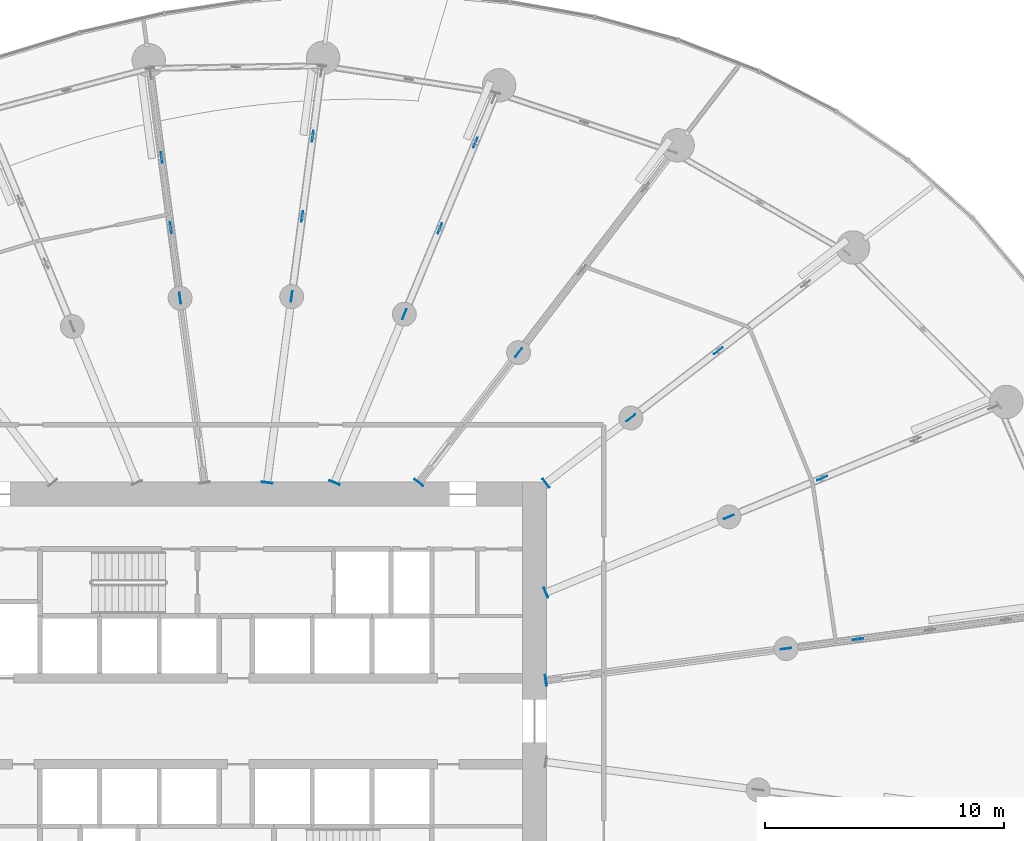
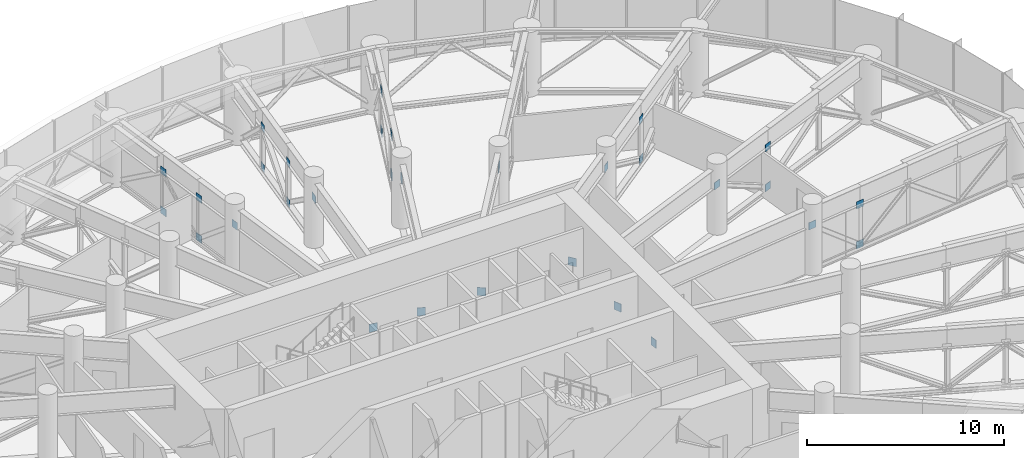
# One storey, part 35 of 42: 31 discrete accessories.
"""IFC4 building model written with IfcOpenShell, lengths in metres."""

import ifcopenshell
import ifcopenshell.guid

model = None  # the IFC model being written
_history = None  # IfcOwnerHistory: only IFC2X3 demands one
_inside = {}  # id of a spatial element -> (the spatial element, [elements in it])
_under = {}  # id of a project, library or spatial element -> (it, [spatial elements below it])
_declared = {}  # id of a project -> (the project, [libraries it declares])
_typed = {}  # id of a type object -> (the type object, [elements of that type])
_made_of = {}  # id of a material, layer set ... -> (it, [elements and type objects made of it])


def new_model(schema):
    """Start an empty IFC model of exactly this schema.

    Asked for "IFC4X3", IfcOpenShell would pick the latest addendum, in which some entities
    have other attributes; the version numbers below select the first issue.
    IFC2X3 requires an IfcOwnerHistory on every rooted entity: one is made here for all.
    """
    global model, _history
    if schema == "IFC4X3":
        model = ifcopenshell.file(schema_version=(4, 3, 0, 0))
    else:
        model = ifcopenshell.file(schema=schema)
    _inside.clear()
    _under.clear()
    _declared.clear()
    _typed.clear()
    _made_of.clear()
    _history = None
    if model.schema == "IFC2X3":
        org = make("IfcOrganization", Name="unknown")
        user = make(
            "IfcPersonAndOrganization",
            ThePerson=make("IfcPerson", FamilyName="unknown"),
            TheOrganization=org,
        )
        app = make(
            "IfcApplication",
            ApplicationDeveloper=org,
            Version="unknown",
            ApplicationFullName="unknown",
            ApplicationIdentifier="unknown",
        )
        _history = make(
            "IfcOwnerHistory",
            OwningUser=user,
            OwningApplication=app,
            ChangeAction="ADDED",
            CreationDate=0,
        )
    return model


def make(cls, **values):
    """One entity of the class cls with the attributes given. An attribute that is None is left unset."""
    return model.create_entity(
        cls, **{name: value for name, value in values.items() if value is not None}
    )


def rooted(cls, **values):
    """An entity with a GlobalId (a new one), such as an element, a storey or a relation."""
    return make(cls, GlobalId=ifcopenshell.guid.new(), OwnerHistory=_history, **values)


def si_unit(unit_type, name, prefix=None):
    """IfcSIUnit, for example si_unit("LENGTHUNIT", "METRE", prefix="MILLI")."""
    return make("IfcSIUnit", UnitType=unit_type, Prefix=prefix, Name=name)


def assignment(units):
    """IfcUnitAssignment: the units of a project."""
    return None if units is None else make("IfcUnitAssignment", Units=units)


def point(xyz):
    """IfcCartesianPoint."""
    return None if xyz is None else make("IfcCartesianPoint", Coordinates=xyz)


def direction(xyz):
    """IfcDirection."""
    return None if xyz is None else make("IfcDirection", DirectionRatios=xyz)


def frame(location, z_axis=None, x_axis=None):
    """IfcAxis2Placement3D, a coordinate frame: its origin and axes. An axis left out is left unset."""
    return make(
        "IfcAxis2Placement3D",
        Location=point(location),
        Axis=direction(z_axis),
        RefDirection=direction(x_axis),
    )


def frame_2d(location, x_axis=None):
    """IfcAxis2Placement2D, a coordinate frame in the plane: its origin and x axis."""
    return make(
        "IfcAxis2Placement2D", Location=point(location), RefDirection=direction(x_axis)
    )


def origin():
    """The frame at (0, 0, 0) with its axes left unset."""
    return frame((0.0, 0.0, 0.0))


def origin_2d():
    """The frame at (0, 0) in the plane with its x axis left unset."""
    return frame_2d((0.0, 0.0))


def place(relative_to, where):
    """IfcLocalPlacement: puts the frame where relative to a parent placement (None: the world)."""
    return make(
        "IfcLocalPlacement", PlacementRelTo=relative_to, RelativePlacement=where
    )


def context(
    kind, dimensions, precision=None, world=None, true_north=None, identifier=None
):
    """IfcGeometricRepresentationContext, for example the 3D "Model" context."""
    return make(
        "IfcGeometricRepresentationContext",
        ContextIdentifier=identifier,
        ContextType=kind,
        CoordinateSpaceDimension=dimensions,
        Precision=precision,
        WorldCoordinateSystem=world,
        TrueNorth=true_north,
    )


def subcontext(parent, identifier, kind, view, scale=None):
    """IfcGeometricRepresentationSubContext, for example "Body" below "Model"."""
    return make(
        "IfcGeometricRepresentationSubContext",
        ContextIdentifier=identifier,
        ContextType=kind,
        ParentContext=parent,
        TargetScale=scale,
        TargetView=view,
    )


def project(units=None, contexts=None):
    """IfcProject with its units and contexts."""
    return rooted(
        "IfcProject",
        Name="project",
        RepresentationContexts=contexts,
        UnitsInContext=assignment(units),
    )


def spatial(cls, under=None, at=None, **own):
    """A site, building, storey or space (cls), placed at a placement, below another one or the project."""
    s = rooted(cls, ObjectPlacement=at, **own)
    if under is not None:
        _under.setdefault(under.id(), (under, []))[1].append(s)
    return s


def profile(cls, at=None, kind="AREA", **sizes):
    """A parametric profile (cls). Its sizes go by their IFC names, for example OverallWidth=200.0."""
    return make(cls, ProfileType=kind, Position=at, **sizes)


def rectangle(**sizes):
    """IfcRectangleProfileDef."""
    return profile("IfcRectangleProfileDef", **sizes)


def extrude(swept, where, along, depth):
    """IfcExtrudedAreaSolid: the profile swept, set in the frame where, extruded along a direction by depth."""
    return make(
        "IfcExtrudedAreaSolid",
        SweptArea=swept,
        Position=where,
        ExtrudedDirection=direction(along),
        Depth=depth,
    )


def shape(context_of_items, identifier, shape_type, items):
    """IfcShapeRepresentation: the items that make up one representation, for example the "Body"."""
    return make(
        "IfcShapeRepresentation",
        ContextOfItems=context_of_items,
        RepresentationIdentifier=identifier,
        RepresentationType=shape_type,
        Items=items,
    )


def source(mapping_origin, context_of_items, identifier, shape_type, items):
    """IfcRepresentationMap: a shape defined once, which mapped items show again and again."""
    return make(
        "IfcRepresentationMap",
        MappingOrigin=mapping_origin,
        MappedRepresentation=shape(context_of_items, identifier, shape_type, items),
    )


def transform(
    local_origin,
    x_axis=None,
    y_axis=None,
    z_axis=None,
    scale=None,
    scale2=None,
    scale3=None,
    uniform=True,
):
    """IfcCartesianTransformationOperator3D, or its non-uniform kind. x_axis, y_axis, z_axis: its Axis1, 2, 3."""
    if uniform:
        return make(
            "IfcCartesianTransformationOperator3D",
            Axis1=direction(x_axis),
            Axis2=direction(y_axis),
            LocalOrigin=point(local_origin),
            Scale=scale,
            Axis3=direction(z_axis),
        )
    return make(
        "IfcCartesianTransformationOperator3DnonUniform",
        Axis1=direction(x_axis),
        Axis2=direction(y_axis),
        LocalOrigin=point(local_origin),
        Scale=scale,
        Axis3=direction(z_axis),
        Scale2=scale2,
        Scale3=scale3,
    )


def mapped(mapping_source, mapping_target):
    """IfcMappedItem: shows the shape of a source again, moved by a transform."""
    return make(
        "IfcMappedItem", MappingSource=mapping_source, MappingTarget=mapping_target
    )


def material(Name=None, Category=None):
    """IfcMaterial."""
    return make("IfcMaterial", Name=Name, Category=Category)


def layer(
    of_material, thickness, ventilated=None, Name=None, Category=None, Priority=None
):
    """IfcMaterialLayer: one layer of a wall or slab, of a material (None: an air gap)."""
    return make(
        "IfcMaterialLayer",
        Material=of_material,
        LayerThickness=thickness,
        IsVentilated=ventilated,
        Name=Name,
        Category=Category,
        Priority=Priority,
    )


def layer_set(layers, Name=None):
    """IfcMaterialLayerSet."""
    return make("IfcMaterialLayerSet", MaterialLayers=layers, LayerSetName=Name)


def made_of(thing, what):
    """Note that an element or type object is made of a material, layer set ...; save() writes the relation."""
    if what is not None:
        _made_of.setdefault(what.id(), (what, []))[1].append(thing)
    return thing


def type_object(cls, material=None, **own):
    """A type object (cls), such as IfcWallType, which elements share."""
    return made_of(rooted(cls, **own), material)


def element(
    cls,
    number,
    at=None,
    inside=None,
    cuts=None,
    type_object=None,
    material=None,
    context=None,
    identifier="Body",
    shape_type=None,
    held_by="IfcProductDefinitionShape",
    body=None,
    shapes=None,
    **own,
):
    """One element of the class cls, such as IfcWall. Its Tag is "e" and its number.

    at: its placement. inside: the storey or other place that contains it. cuts: it is an
    opening in that element (IfcRelVoidsElement). A single representation is given by context,
    identifier, shape_type and body (its items); several are given by shapes. held_by: the class
    of the entity that holds the representations. save() writes the other relations.
    """
    e = rooted(cls, Tag="e%d" % number, ObjectPlacement=at, **own)
    if body is not None:
        shapes = [shape(context, identifier, shape_type, body)]
    if shapes is not None:
        e.Representation = make(held_by, Representations=shapes)
    if inside is not None:
        _inside.setdefault(inside.id(), (inside, []))[1].append(e)
    if cuts is not None:
        rooted(
            "IfcRelVoidsElement", RelatingBuildingElement=cuts, RelatedOpeningElement=e
        )
    if type_object is not None:
        _typed.setdefault(type_object.id(), (type_object, []))[1].append(e)
    return made_of(e, material)


def aggregate(whole, parts):
    """IfcRelAggregates: a whole, such as a stair, and the parts it consists of."""
    return rooted("IfcRelAggregates", RelatingObject=whole, RelatedObjects=parts)


def save(model, path):
    """Write the relations noted so far, then the file.

    IfcRelAggregates (storeys below a building ...), IfcRelContainedInSpatialStructure (elements
    in a storey), IfcRelDefinesByType, IfcRelAssociatesMaterial and IfcRelDeclares: one each for
    every whole, place, type object, material and project.
    """
    for whole, parts in _under.values():
        aggregate(whole, parts)
    for where, things in _inside.values():
        rooted(
            "IfcRelContainedInSpatialStructure",
            RelatedElements=things,
            RelatingStructure=where,
        )
    for kind, things in _typed.values():
        rooted("IfcRelDefinesByType", RelatedObjects=things, RelatingType=kind)
    for what, things in _made_of.values():
        rooted("IfcRelAssociatesMaterial", RelatedObjects=things, RelatingMaterial=what)
    for by, libraries in _declared.values():
        rooted("IfcRelDeclares", RelatingContext=by, RelatedDefinitions=libraries)
    model.write(path)


model = new_model("IFC4")

# Units and contexts
model_context = context("Model", 3, precision=1e-05, world=origin(), true_north=direction((0.0, 1.0)))
body_context = subcontext(model_context, "Body", "Model", "MODEL_VIEW")
ifc_project = project(units=[si_unit("LENGTHUNIT", "METRE"), si_unit("AREAUNIT", "SQUARE_METRE"), si_unit("VOLUMEUNIT", "CUBIC_METRE"), si_unit("PLANEANGLEUNIT", "RADIAN"), si_unit("MASSUNIT", "GRAM", prefix="KILO")], contexts=[model_context])

# Site, building, storey
site_placement = place(None, origin())
site = spatial("IfcSite", under=ifc_project, at=site_placement, CompositionType="ELEMENT")
building_placement = place(site_placement, origin())
building = spatial("IfcBuilding", under=site, at=building_placement, Name="Spindrift Exchange Tower", CompositionType="ELEMENT")
storey_placement = place(building_placement, frame((0.0, 0.0, 75.39990234375)))
storey = spatial("IfcBuildingStorey", under=building, at=storey_placement, Name="L17", CompositionType="ELEMENT", Elevation=75.39990234375)

# Discrete accessories
ifc_material = material(Name="Steel Grade 350", Category="steel")
ifc_layer_1 = layer(ifc_material, 0.031982421875)
ifc_layer_set_1 = layer_set([ifc_layer_1], Name="Cast-in plate 450x500x32 Steel Grade 350")
discrete_accessory_type_1 = type_object("IfcDiscreteAccessoryType", Name="Cast-in plate 450x500x32 Steel Grade 350", PredefinedType="USERDEFINED", material=ifc_layer_set_1)
shared_shape_1 = source(origin(), body_context, "Body", "SweptSolid", [
    extrude(rectangle(XDim=0.031982421875, YDim=0.449951171875, at=origin_2d()), origin(), (0.0, 0.0, 1.0), 0.5),
])
for number, where, z_axis, x_axis, name in (
    (1, (64.980224609375, 49.708984375, -0.413330078125), (0.0, 0.0, 1.0), (0.991444861374, 0.13052619222, 0.0), "L17 cast-in plate CP2 01"),
    (2, (64.9814453125, 53.377197265625, -0.413330078125), (0.0, 0.0, 1.0), (0.923879532511, 0.382683432365, 0.0), "L17 cast-in plate CP2 02"),
    (3, (64.984130859375, 57.963134765625, -0.413330078125), (0.0, 0.0, 1.0), (0.793353340291, 0.608761429009, 0.0), "L17 cast-in plate CP2 03"),
    (4, (59.6611328125, 57.984130859375, -0.413330078125), (0.0, 0.0, 1.0), (0.608761429009, 0.793353340291, 0.0), "L17 cast-in plate CP2 04"),
    (5, (56.134521484375, 57.9814453125, -0.413330078125), (0.0, 0.0, 1.0), (0.382683432365, 0.923879532511, 0.0), "L17 cast-in plate CP2 05"),
    (6, (53.31396484375, 57.980224609375, -0.413330078125), (0.0, 0.0, 1.0), (0.13052619222, 0.991444861374, 0.0), "L17 cast-in plate CP2 06"),
):
    element("IfcDiscreteAccessory", number, at=place(storey_placement, frame(where, z_axis=z_axis, x_axis=x_axis)), inside=storey, type_object=discrete_accessory_type_1, Name=name, ObjectType="Cast-in plate", PredefinedType="USERDEFINED", context=body_context, shape_type="MappedRepresentation", body=[
        mapped(shared_shape_1, transform((0.0, 0.0, 0.0), scale=1.0)),
    ])
ifc_layer_2 = layer(ifc_material, 0.02490234375)
ifc_layer_set_2 = layer_set([ifc_layer_2], Name="Gusset plate 450x450x25 Steel Grade 350")
discrete_accessory_type_2 = type_object("IfcDiscreteAccessoryType", Name="Gusset plate 450x450x25 Steel Grade 350", PredefinedType="USERDEFINED", material=ifc_layer_set_2)
shared_shape_2 = source(origin(), body_context, "Body", "SweptSolid", [
    extrude(rectangle(XDim=0.449951171875, YDim=0.02490234375, at=origin_2d()), origin(), (0.0, 0.0, 1.0), 0.449951171875),
])
for number, where, z_axis, x_axis, name in (
    (7, (75.033935546875, 51.032470703125, 2.5751953125), (0.0, 0.0, 1.0), (0.991446228187, 0.130515809827, 0.0), "L17 gusset plate GP1 01"),
    (8, (78.045166015625, 51.428955078125, 0.10205078125), (0.0, 0.0, 1.0), (0.991446228187, 0.130515809827, 0.0), "L17 gusset plate GP1 01"),
    (9, (78.045166015625, 51.428955078125, 2.5751953125), (0.0, 0.0, 1.0), (0.991444861374, 0.13052619222, 0.0), "L17 gusset plate GP1 01"),
    (10, (72.639404296875, 56.549072265625, 2.5751953125), (0.0, 0.0, 1.0), (0.923878864601, 0.382685044838, 0.0), "L17 gusset plate GP1 02"),
    (11, (76.54736328125, 58.16796875, 0.10205078125), (0.0, 0.0, 1.0), (0.923878864601, 0.382685044838, 0.0), "L17 gusset plate GP1 02"),
    (12, (76.54736328125, 58.16796875, 2.5751953125), (0.0, 0.0, 1.0), (0.923879532511, 0.382683432365, 0.0), "L17 gusset plate GP1 02"),
    (13, (68.534912109375, 60.6875, 2.5751953125), (0.0, 0.0, 1.0), (0.793351215308, 0.608764198331, 0.0), "L17 gusset plate GP1 03"),
    (14, (72.19140625, 63.493408203125, 0.10205078125), (0.0, 0.0, 1.0), (0.793351215308, 0.608764198331, 0.0), "L17 gusset plate GP1 03"),
    (15, (72.19140625, 63.493408203125, 2.5751953125), (0.0, 0.0, 1.0), (0.793353340291, 0.608761429009, 0.0), "L17 gusset plate GP1 03"),
    (16, (63.835205078125, 63.423828125, 2.5751953125), (0.0, 0.0, 1.0), (0.608755890343, 0.793357590228, 0.0), "L17 gusset plate GP1 04"),
    (17, (59.0546875, 65.03125, 2.5751953125), (0.0, 0.0, 1.0), (0.382685044838, 0.923878864601, 0.0), "L17 gusset plate GP1 05"),
    (18, (60.541748046875, 68.62158203125, 0.10205078125), (0.0, 0.0, 1.0), (0.382685044838, 0.923878864601, 0.0), "L17 gusset plate GP1 05"),
    (19, (62.029052734375, 72.212158203125, 2.5751953125), (0.0, 0.0, 1.0), (0.382685044838, 0.923878864601, 0.0), "L17 gusset plate GP1 05"),
    (20, (60.541748046875, 68.62158203125, 2.5751953125), (0.0, 0.0, 1.0), (0.382683432365, 0.923879532511, 0.0), "L17 gusset plate GP1 05"),
    (21, (62.029052734375, 72.212158203125, 0.10205078125), (0.0, 0.0, 1.0), (0.382683432365, 0.923879532511, 0.0), "L17 gusset plate GP1 05"),
    (22, (54.339111328125, 65.767333984375, 2.5751953125), (0.0, 0.0, 1.0), (0.130540035389, 0.991443038788, 0.0), "L17 gusset plate GP1 06"),
    (23, (54.78076171875, 69.1220703125, 0.10205078125), (0.0, 0.0, 1.0), (0.130540035389, 0.991443038788, 0.0), "L17 gusset plate GP1 06"),
    (24, (55.222412109375, 72.476806640625, 2.5751953125), (0.0, 0.0, 1.0), (0.130507157821, 0.991447367114, 0.0), "L17 gusset plate GP1 06"),
    (25, (54.78076171875, 69.1220703125, 2.5751953125), (0.0, 0.0, 1.0), (0.13052619222, 0.991444861374, 0.0), "L17 gusset plate GP1 06"),
    (26, (55.222412109375, 72.476806640625, 0.10205078125), (0.0, 0.0, 1.0), (0.13052619222, 0.991444861374, 0.0), "L17 gusset plate GP1 06"),
    (27, (49.669189453125, 65.703125, 2.5751953125), (0.0, 0.0, 1.0), (-0.130505427419, 0.991447594891, 0.0), "L17 gusset plate GP1 07"),
    (28, (49.281494140625, 68.6494140625, 0.10205078125), (0.0, 0.0, 1.0), (-0.130505427419, 0.991447594891, 0.0), "L17 gusset plate GP1 07"),
    (29, (48.8935546875, 71.595458984375, 2.5751953125), (0.0, 0.0, 1.0), (-0.130538304994, 0.991443266622, 0.0), "L17 gusset plate GP1 07"),
    (30, (49.281494140625, 68.6494140625, 2.5751953125), (0.0, 0.0, 1.0), (-0.13052619222, 0.991444861374, 0.0), "L17 gusset plate GP1 07"),
    (31, (48.8935546875, 71.595458984375, 0.10205078125), (0.0, 0.0, 1.0), (-0.13052619222, 0.991444861374, 0.0), "L17 gusset plate GP1 07"),
):
    element("IfcDiscreteAccessory", number, at=place(storey_placement, frame(where, z_axis=z_axis, x_axis=x_axis)), inside=storey, type_object=discrete_accessory_type_2, Name=name, ObjectType="Gusset plate", PredefinedType="USERDEFINED", context=body_context, shape_type="MappedRepresentation", body=[
        mapped(shared_shape_2, transform((0.0, 0.0, 0.0), scale=1.0)),
    ])

save(model, "model.ifc")
